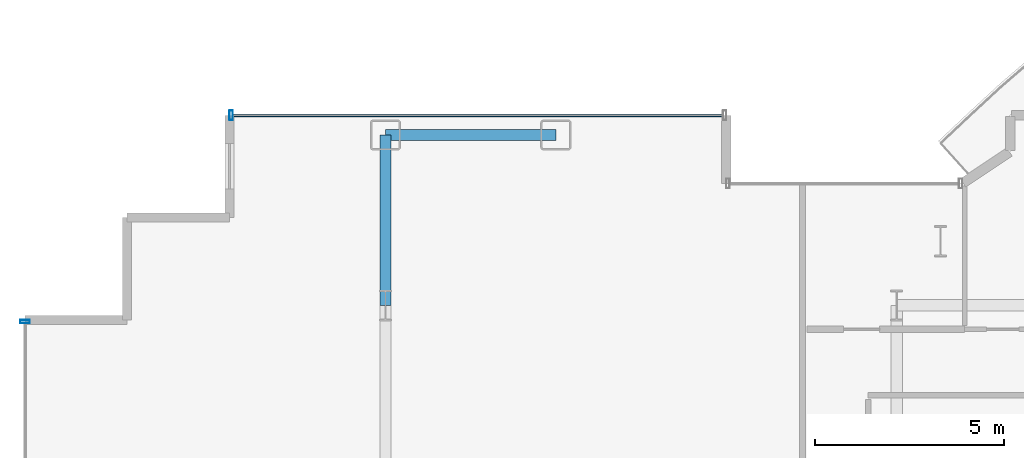
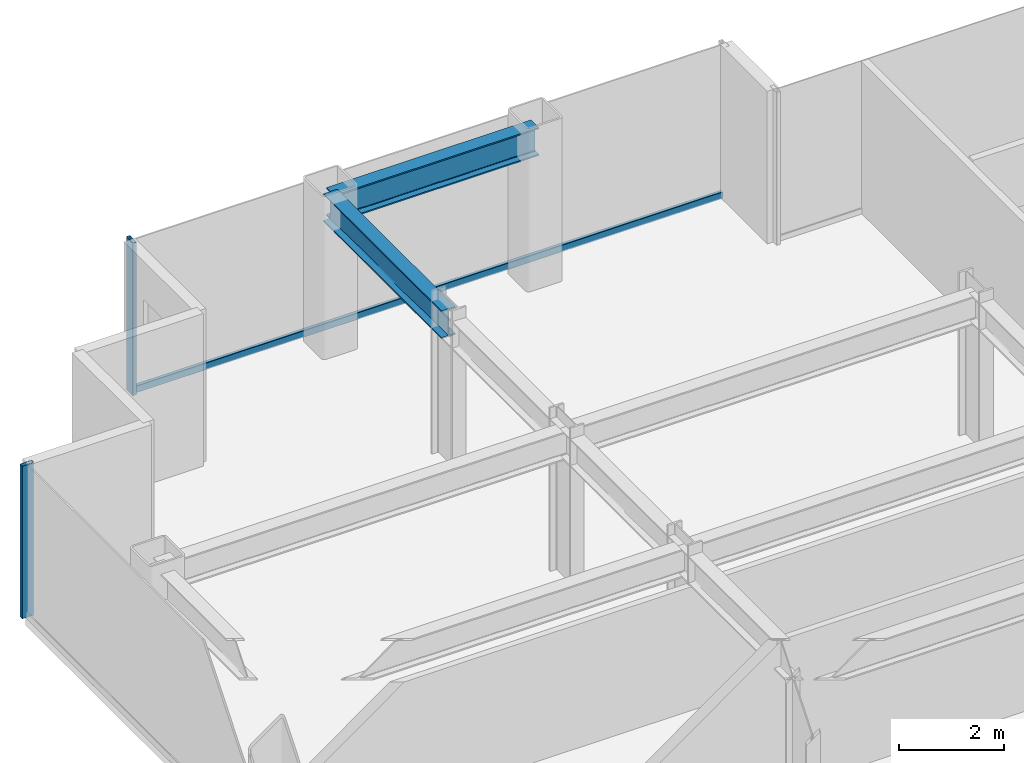
# One storey, part 10 of 22: 3 members, 2 beams, 2 elements without a shape of their own.
"""IFC4 building model written with IfcOpenShell, lengths in metres."""

from ifc_helpers import new_model, si_unit, direction, frame, origin, origin_2d, place, context, subcontext, project, spatial, hollow_rectangle, i_section, extrude, source, transform, mapped, material, layer, layer_set, material_profile, profile_set, type_object, element, aggregate, save


model = new_model("IFC4")

# Units and contexts
model_context = context("Model", 3, precision=1e-05, world=origin(), true_north=direction((0.0, 1.0)))
body_context = subcontext(model_context, "Body", "Model", "MODEL_VIEW")
ifc_project = project(units=[si_unit("LENGTHUNIT", "METRE"), si_unit("AREAUNIT", "SQUARE_METRE"), si_unit("VOLUMEUNIT", "CUBIC_METRE"), si_unit("PLANEANGLEUNIT", "RADIAN"), si_unit("MASSUNIT", "GRAM", prefix="KILO")], contexts=[model_context])

# Site, building, storey
site_placement = place(None, origin())
site = spatial("IfcSite", under=ifc_project, at=site_placement, CompositionType="ELEMENT")
building_placement = place(site_placement, origin())
building = spatial("IfcBuilding", under=site, at=building_placement, Name="Nefas-Gora Pilgrimage Tower", CompositionType="ELEMENT")
storey_placement = place(building_placement, frame((0.0, 0.0, 186.800048828125)))
storey = spatial("IfcBuildingStorey", under=building, at=storey_placement, Name="L46", CompositionType="ELEMENT", Elevation=186.800048828125)

# Beams
ifc_material_1 = material(Name="Steel S355", Category="steel")
ifc_material_profile_1 = material_profile(ifc_material_1, i_section(OverallWidth=0.300048828125, OverallDepth=0.64990234375, WebThickness=0.01611328125, FlangeThickness=0.031005859375, FilletRadius=0.027099609375, at=origin_2d()), Name="HEB 650")
ifc_profile_set_1 = profile_set([ifc_material_profile_1], Name="Steel S355")
beam_type_1 = type_object("IfcBeamType", Name="BM-SPN-HEB500", PredefinedType="SPANDREL", material=ifc_profile_set_1)
shared_shape_1 = source(origin(), body_context, "Body", "SweptSolid", [
    extrude(i_section(OverallWidth=0.300048828125, OverallDepth=0.64990234375, WebThickness=0.01611328125, FlangeThickness=0.031005859375, FilletRadius=0.027099609375, at=origin_2d()), origin(), (0.0, 0.0, 1.0), 4.5),
])
beam_1_placement = place(storey_placement, frame((-24.75, 22.5, 3.224853515625), z_axis=(1.0, 0.0, 0.0), x_axis=(0.0, 1.0, 0.0)))
element("IfcBeam", 1, at=beam_1_placement, inside=storey, type_object=beam_type_1, Name="L46 SP-02 beam", PredefinedType="SPANDREL", context=body_context, shape_type="MappedRepresentation", body=[
    mapped(shared_shape_1, transform((0.0, 0.0, 0.0), x_axis=(1.0, 0.0, 0.0), y_axis=(0.0, 1.0, 0.0), z_axis=(0.0, 0.0, 1.0), scale=1.0)),
])
ifc_material_profile_2 = material_profile(ifc_material_1, i_section(OverallWidth=0.300048828125, OverallDepth=0.64990234375, WebThickness=0.01611328125, FlangeThickness=0.031005859375, FilletRadius=0.027099609375, at=origin_2d()), Name="HEB 650")
ifc_profile_set_2 = profile_set([ifc_material_profile_2], Name="Steel S355")
beam_type_2 = type_object("IfcBeamType", Name="BM-GIR-HEB650", PredefinedType="BEAM", material=ifc_profile_set_2)
shared_shape_2 = source(origin(), body_context, "Body", "SweptSolid", [
    extrude(i_section(OverallWidth=0.300048828125, OverallDepth=0.64990234375, WebThickness=0.01611328125, FlangeThickness=0.031005859375, FilletRadius=0.027099609375, at=origin_2d()), origin(), (0.0, 0.0, 1.0), 4.5),
])
beam_2_placement = place(storey_placement, frame((-24.75, 18.0, 3.224853515625), z_axis=(0.0, 1.0, 0.0), x_axis=(-1.0, 0.0, 0.0)))
element("IfcBeam", 2, at=beam_2_placement, inside=storey, type_object=beam_type_2, Name="L46 G-03 beam", PredefinedType="BEAM", context=body_context, shape_type="MappedRepresentation", body=[
    mapped(shared_shape_2, transform((0.0, 0.0, 0.0), x_axis=(1.0, 0.0, 0.0), y_axis=(0.0, 1.0, 0.0), z_axis=(0.0, 0.0, 1.0), scale=1.0)),
])

# Curtain wall, member
ifc_material_2 = material(Name="Dark ceramic-fritted solar-control aluminium-glass curtain wall", Category="aluminium")
ifc_layer = layer(ifc_material_2, 0.219970703125)
ifc_layer_set = layer_set([ifc_layer], Name="Dark ceramic-fritted solar-control aluminium-glass curtain wall")
curtain_wall_type = type_object("IfcCurtainWallType", Name="CW-SYS-3", PredefinedType="NOTDEFINED", material=ifc_layer_set)
curtain_wall_1_placement = place(storey_placement, origin())
curtain_wall_1 = element("IfcCurtainWall", 3, at=curtain_wall_1_placement, inside=storey, type_object=curtain_wall_type, Name="L46 Unitised Curtain Wall CW3", PredefinedType="NOTDEFINED")
ifc_material_3 = material(Name="Anodised architectural aluminium", Category="aluminium")
ifc_material_profile_3 = material_profile(ifc_material_3, hollow_rectangle(XDim=0.090087890625, YDim=0.260009765625, WallThickness=0.006103515625, InnerFilletRadius=0.006103515625, OuterFilletRadius=0.011962890625, at=origin_2d()), Name="ALU MULLION 90x260")
ifc_profile_set_3 = profile_set([ifc_material_profile_3], Name="Anodised architectural aluminium")
member_type_1 = type_object("IfcMemberType", Name="CWM-MUL-3", PredefinedType="MULLION", material=ifc_profile_set_3)
shared_shape_3 = source(origin(), body_context, "Body", "SweptSolid", [
    extrude(hollow_rectangle(XDim=0.090087890625, YDim=0.260009765625, WallThickness=0.006103515625, InnerFilletRadius=0.006103515625, OuterFilletRadius=0.011962890625, at=origin_2d()), origin(), (0.0, 0.0, 1.0), 3.550048828125),
])
member_1_placement = place(storey_placement, frame((-28.824951171875, 23.02001953125, 0.0), z_axis=(0.0, 0.0, 1.0), x_axis=(-1.0, 0.0, 0.0)))
member_1 = element("IfcMember", 4, at=member_1_placement, type_object=member_type_1, Name="CW3 Mullion 2", PredefinedType="MULLION", context=body_context, shape_type="MappedRepresentation", body=[
    mapped(shared_shape_3, transform((0.0, 0.0, 0.0), x_axis=(1.0, 0.0, 0.0), y_axis=(0.0, 1.0, 0.0), z_axis=(0.0, 0.0, 1.0), scale=1.0)),
])

curtain_wall_2_placement = place(storey_placement, origin())
curtain_wall_2 = element("IfcCurtainWall", 5, at=curtain_wall_2_placement, inside=storey, type_object=curtain_wall_type, Name="L46 Unitised Curtain Wall CW3", PredefinedType="NOTDEFINED")
member_2_placement = place(storey_placement, frame((-34.27001953125, 17.574951171875, 0.0), z_axis=(0.0, 0.0, 1.0), x_axis=(0.0, -1.0, 0.0)))
member_2 = element("IfcMember", 6, at=member_2_placement, type_object=member_type_1, Name="CW3 Mullion 1", PredefinedType="MULLION", context=body_context, shape_type="MappedRepresentation", body=[
    mapped(shared_shape_3, transform((0.0, 0.0, 0.0), x_axis=(1.0, 0.0, 0.0), y_axis=(0.0, 1.0, 0.0), z_axis=(0.0, 0.0, 1.0), scale=1.0)),
])
aggregate(curtain_wall_2, [member_2])

# Member
ifc_material_profile_4 = material_profile(ifc_material_3, hollow_rectangle(XDim=0.080078125, YDim=0.159912109375, WallThickness=0.00439453125, InnerFilletRadius=0.00439453125, OuterFilletRadius=0.009033203125, at=origin_2d()), Name="ALU TRANSOM 80x160")
ifc_profile_set_4 = profile_set([ifc_material_profile_4], Name="Anodised architectural aluminium")
member_type_2 = type_object("IfcMemberType", Name="CWM-TRN-3", PredefinedType="USERDEFINED", material=ifc_profile_set_4)
shared_shape_4 = source(origin(), body_context, "Body", "SweptSolid", [
    extrude(hollow_rectangle(XDim=0.080078125, YDim=0.159912109375, WallThickness=0.00439453125, InnerFilletRadius=0.00439453125, OuterFilletRadius=0.009033203125, at=origin_2d()), origin(), (0.0, 0.0, 1.0), 12.93994140625),
])
member_3_placement = place(storey_placement, frame((-15.840087890625, 23.02001953125, 0.050048828125), z_axis=(-1.0, 0.0, 0.0), x_axis=(0.0, -1.0, 0.0)))
member_3 = element("IfcMember", 7, at=member_3_placement, type_object=member_type_2, Name="CW3 Spandrel Transom", ObjectType="TRANSOM", PredefinedType="USERDEFINED", context=body_context, shape_type="MappedRepresentation", body=[
    mapped(shared_shape_4, transform((0.0, 0.0, 0.0), x_axis=(1.0, 0.0, 0.0), y_axis=(0.0, 1.0, 0.0), z_axis=(0.0, 0.0, 1.0), scale=1.0)),
])

aggregate(curtain_wall_1, [member_1, member_3])

save(model, "model.ifc")
